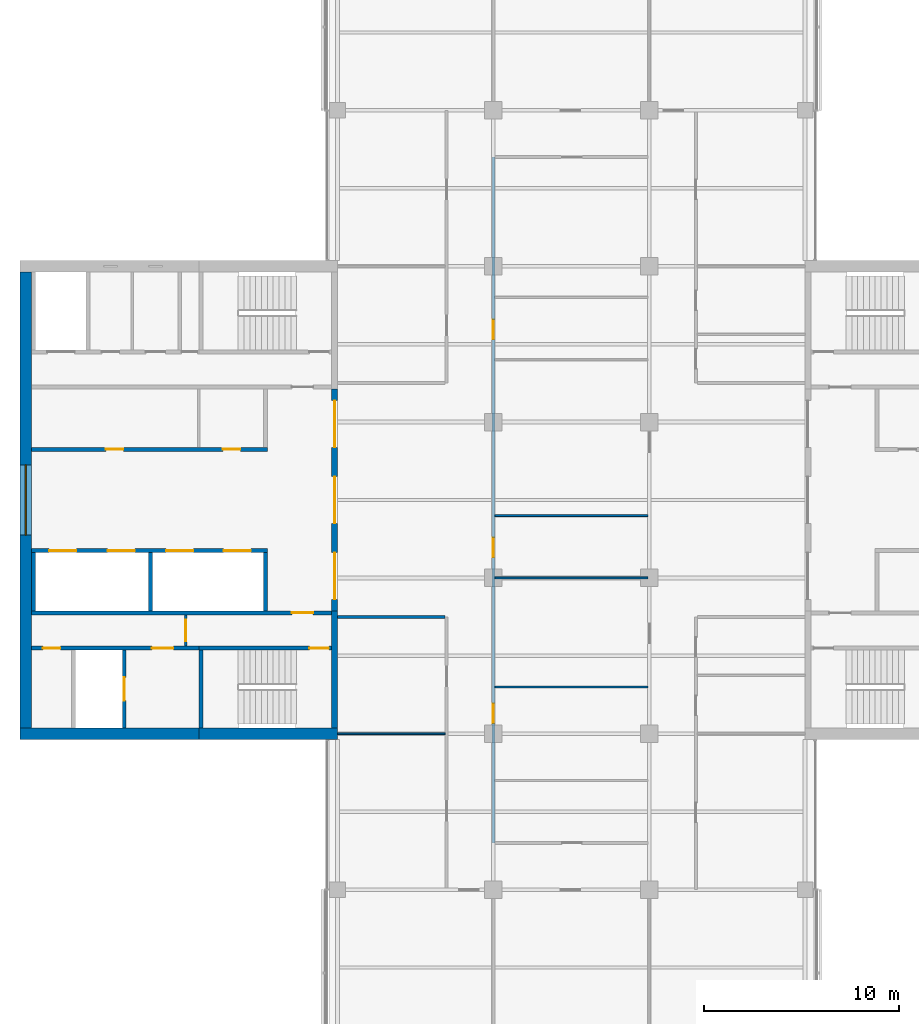
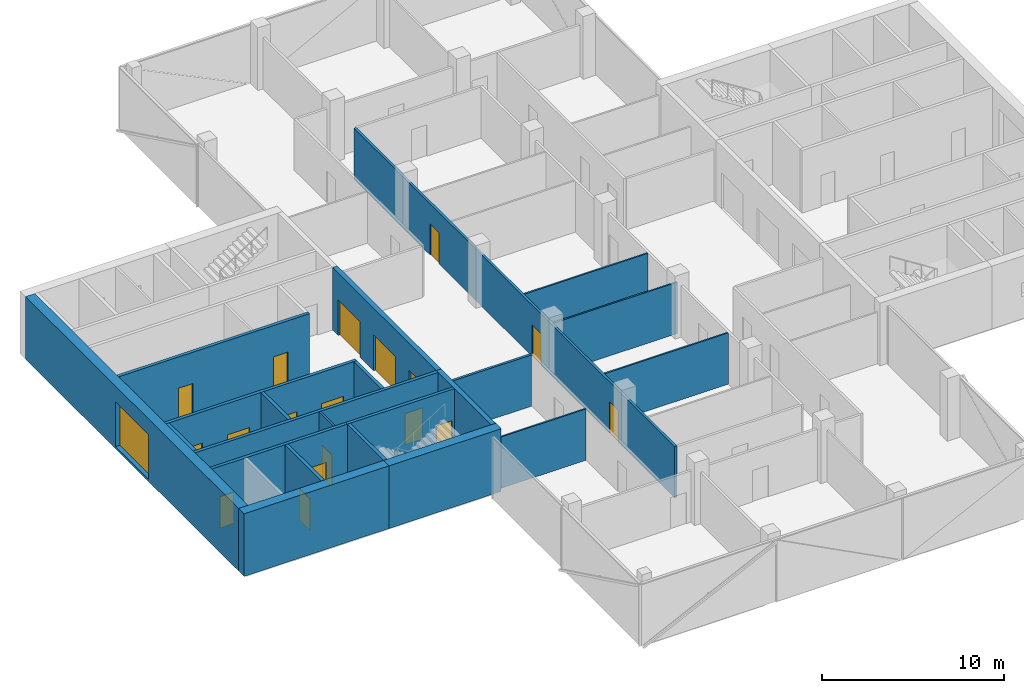
# One storey, part 9 of 15: 22 walls, 18 doors, 1 window, 19 openings.
"""IFC4 building model written with IfcOpenShell, lengths in metres."""

from ifc_helpers import new_model, si_unit, direction, frame, frame_2d, origin, place, context, subcontext, project, spatial, rectangle, extrude, material, layer, layer_set, constituent, constituent_set, type_object, element, fill, save


model = new_model("IFC4")

# Units and contexts
model_context = context("Model", 3, precision=1e-05, world=origin(), true_north=direction((0.0, 1.0)))
body_context = subcontext(model_context, "Body", "Model", "MODEL_VIEW")
ifc_project = project(units=[si_unit("LENGTHUNIT", "METRE"), si_unit("AREAUNIT", "SQUARE_METRE"), si_unit("VOLUMEUNIT", "CUBIC_METRE"), si_unit("PLANEANGLEUNIT", "RADIAN"), si_unit("MASSUNIT", "GRAM", prefix="KILO")], contexts=[model_context])

# Site, building, storey
site_placement = place(None, origin())
site = spatial("IfcSite", under=ifc_project, at=site_placement, CompositionType="ELEMENT")
building_placement = place(site_placement, origin())
building = spatial("IfcBuilding", under=site, at=building_placement, Name="Crosswind Convention Tower", CompositionType="ELEMENT")
storey_placement = place(building_placement, frame((0.0, 0.0, 204.10009765625)))
storey = spatial("IfcBuildingStorey", under=building, at=storey_placement, Name="L43", CompositionType="ELEMENT", Elevation=204.10009765625)

# Wall, openings, doors
ifc_material_1 = material(Name="Concrete C50/60", Category="concrete")
ifc_layer_1 = layer(ifc_material_1, 0.300048828125)
ifc_layer_set_1 = layer_set([ifc_layer_1], Name="Concrete C50/60")
wall_type_1 = type_object("IfcWallType", Name="Concrete inner core wall 300", PredefinedType="SHEAR", material=ifc_layer_set_1)
wall_1_placement = place(storey_placement, frame((112.85009765625, 105.699951171875, 0.0), z_axis=(0.0, 0.0, 1.0), x_axis=(0.0, -1.0, 0.0)))
wall_1 = element("IfcWall", 1, at=wall_1_placement, inside=storey, type_object=wall_type_1, Name="Wall SCR W L43", PredefinedType="SHEAR", context=body_context, shape_type="SweptSolid", body=[
    extrude(rectangle(XDim=11.39990234375, YDim=0.300048828125, at=frame_2d((5.699951171875, 0.0))), origin(), (0.0, 0.0, 1.0), 4.199951171875),
])
opening_1_placement = place(wall_1_placement, frame((0.60009765625, 0.0, 0.0)))
opening_1 = element("IfcOpeningElement", 2, at=opening_1_placement, cuts=wall_1, Name="Opening D100", PredefinedType="OPENING", context=body_context, shape_type="SweptSolid", body=[
    extrude(rectangle(XDim=2.39990234375, YDim=2.39990234375, at=frame_2d((1.199951171875, 1.199951171875))), frame((0.0, 0.159912109375, 0.0), z_axis=(0.0, -1.0, 0.0), x_axis=(1.0, 0.0, 0.0)), (0.0, 0.0, 1.0), 0.320068359375),
])
opening_2_placement = place(wall_1_placement, frame((4.5, 0.0, 0.0)))
opening_2 = element("IfcOpeningElement", 3, at=opening_2_placement, cuts=wall_1, Name="Opening D100", PredefinedType="OPENING", context=body_context, shape_type="SweptSolid", body=[
    extrude(rectangle(XDim=2.39990234375, YDim=2.39990234375, at=frame_2d((1.199951171875, 1.199951171875))), frame((0.0, 0.159912109375, 0.0), z_axis=(0.0, -1.0, 0.0), x_axis=(1.0, 0.0, 0.0)), (0.0, 0.0, 1.0), 0.320068359375),
])
opening_3_placement = place(wall_1_placement, frame((8.39990234375, 0.0, 0.0)))
opening_3 = element("IfcOpeningElement", 4, at=opening_3_placement, cuts=wall_1, Name="Opening D100", PredefinedType="OPENING", context=body_context, shape_type="SweptSolid", body=[
    extrude(rectangle(XDim=2.39990234375, YDim=2.39990234375, at=frame_2d((1.199951171875, 1.199951171875))), frame((0.0, 0.159912109375, 0.0), z_axis=(0.0, -1.0, 0.0), x_axis=(1.0, 0.0, 0.0)), (0.0, 0.0, 1.0), 0.320068359375),
])
ifc_material_2 = material(Name="Steel fire door with glazed vision panels", Category="steel")
door_type_1 = type_object("IfcDoorType", Name="Fire-rated double door 2400x2400", OperationType="DOUBLE_DOOR_SINGLE_SWING", PredefinedType="DOOR", material=ifc_material_2)
door_1_placement = place(opening_1_placement, origin())
door_1 = element("IfcDoor", 5, at=door_1_placement, inside=storey, type_object=door_type_1, Name="Lobby door 1 L43", ObjectType="D100", OperationType="DOUBLE_DOOR_SINGLE_SWING", OverallHeight=2.39990234375, OverallWidth=2.39990234375, PredefinedType="DOOR", context=body_context, shape_type="SweptSolid", body=[
    extrude(rectangle(XDim=2.39990234375, YDim=2.39990234375, at=frame_2d((1.199951171875, 1.199951171875))), frame((0.0, 0.02490234375, 0.0), z_axis=(0.0, -1.0, 0.0), x_axis=(1.0, 0.0, 0.0)), (0.0, 0.0, 1.0), 0.050048828125),
])
fill(opening_1, door_1)
door_2_placement = place(opening_2_placement, origin())
door_2 = element("IfcDoor", 6, at=door_2_placement, inside=storey, type_object=door_type_1, Name="Lobby door 2 L43", ObjectType="D100", OperationType="DOUBLE_DOOR_SINGLE_SWING", OverallHeight=2.39990234375, OverallWidth=2.39990234375, PredefinedType="DOOR", context=body_context, shape_type="SweptSolid", body=[
    extrude(rectangle(XDim=2.39990234375, YDim=2.39990234375, at=frame_2d((1.199951171875, 1.199951171875))), frame((0.0, 0.02490234375, 0.0), z_axis=(0.0, -1.0, 0.0), x_axis=(1.0, 0.0, 0.0)), (0.0, 0.0, 1.0), 0.050048828125),
])
fill(opening_2, door_2)
door_3_placement = place(opening_3_placement, origin())
door_3 = element("IfcDoor", 7, at=door_3_placement, inside=storey, type_object=door_type_1, Name="Lobby door 3 L43", ObjectType="D100", OperationType="DOUBLE_DOOR_SINGLE_SWING", OverallHeight=2.39990234375, OverallWidth=2.39990234375, PredefinedType="DOOR", context=body_context, shape_type="SweptSolid", body=[
    extrude(rectangle(XDim=2.39990234375, YDim=2.39990234375, at=frame_2d((1.199951171875, 1.199951171875))), frame((0.0, 0.02490234375, 0.0), z_axis=(0.0, -1.0, 0.0), x_axis=(1.0, 0.0, 0.0)), (0.0, 0.0, 1.0), 0.050048828125),
])
fill(opening_3, door_3)

# Walls
wall_2_placement = place(storey_placement, frame((112.85009765625, 94.300048828125, 0.0), z_axis=(0.0, 0.0, 1.0), x_axis=(0.0, -1.0, 0.0)))
element("IfcWall", 8, at=wall_2_placement, inside=storey, type_object=wall_type_1, Name="Wall EP W L43", PredefinedType="SHEAR", context=body_context, shape_type="SweptSolid", body=[
    extrude(rectangle(XDim=6.0, YDim=0.300048828125, at=frame_2d((3.0, 0.0))), origin(), (0.0, 0.0, 1.0), 4.199951171875),
])
ifc_layer_2 = layer(ifc_material_1, 0.199951171875)
ifc_layer_set_2 = layer_set([ifc_layer_2], Name="Concrete C50/60")
wall_type_2 = type_object("IfcWallType", Name="Concrete shaft and stair wall 200", PredefinedType="SHEAR", material=ifc_layer_set_2)
for number, where, z_axis, x_axis, name in (
    (9, (109.300048828125, 97.300048828125, 0.0), (0.0, 0.0, 1.0), (0.0, -1.0, 0.0), "Wall RPEND W L43"),
    (10, (103.39990234375, 97.300048828125, 0.0), (0.0, 0.0, 1.0), (0.0, -1.0, 0.0), "Wall RPSEP W L43"),
    (11, (97.39990234375, 97.300048828125, 0.0), (0.0, 0.0, 1.0), (0.0, -1.0, 0.0), "Wall RPEAST W L43"),
):
    element("IfcWall", number, at=place(storey_placement, frame(where, z_axis=z_axis, x_axis=x_axis)), inside=storey, type_object=wall_type_2, Name=name, PredefinedType="SHEAR", context=body_context, shape_type="SweptSolid", body=[
        extrude(rectangle(XDim=3.0, YDim=0.199951171875, at=frame_2d((1.5, 0.0))), origin(), (0.0, 0.0, 1.0), 4.199951171875),
    ])

# Wall, openings, doors
wall_3_placement = place(storey_placement, frame((109.39990234375, 97.39990234375, 0.0), z_axis=(0.0, 0.0, 1.0), x_axis=(-1.0, 0.0, 0.0)))
wall_3 = element("IfcWall", 12, at=wall_3_placement, inside=storey, type_object=wall_type_2, Name="Wall RPFRONT W L43", PredefinedType="SHEAR", context=body_context, shape_type="SweptSolid", body=[
    extrude(rectangle(XDim=12.099853515625, YDim=0.199951171875, at=frame_2d((6.0498046875, 0.0))), origin(), (0.0, 0.0, 1.0), 4.199951171875),
])
opening_4_placement = place(wall_3_placement, frame((0.85009765625, 0.0, 0.0)))
opening_4 = element("IfcOpeningElement", 13, at=opening_4_placement, cuts=wall_3, Name="Opening LD2", PredefinedType="OPENING", context=body_context, shape_type="SweptSolid", body=[
    extrude(rectangle(XDim=1.39990234375, YDim=2.10009765625, at=frame_2d((0.699951171875, 1.050048828125))), frame((0.0, 0.10986328125, 0.0), z_axis=(0.0, -1.0, 0.0), x_axis=(1.0, 0.0, 0.0)), (0.0, 0.0, 1.0), 0.219970703125),
])
opening_5_placement = place(wall_3_placement, frame((3.800048828125, 0.0, 0.0)))
opening_5 = element("IfcOpeningElement", 14, at=opening_5_placement, cuts=wall_3, Name="Opening LD2", PredefinedType="OPENING", context=body_context, shape_type="SweptSolid", body=[
    extrude(rectangle(XDim=1.39990234375, YDim=2.10009765625, at=frame_2d((0.699951171875, 1.050048828125))), frame((0.0, 0.10986328125, 0.0), z_axis=(0.0, -1.0, 0.0), x_axis=(1.0, 0.0, 0.0)), (0.0, 0.0, 1.0), 0.219970703125),
])
opening_6_placement = place(wall_3_placement, frame((6.800048828125, 0.0, 0.0)))
opening_6 = element("IfcOpeningElement", 15, at=opening_6_placement, cuts=wall_3, Name="Opening LD2", PredefinedType="OPENING", context=body_context, shape_type="SweptSolid", body=[
    extrude(rectangle(XDim=1.39990234375, YDim=2.10009765625, at=frame_2d((0.699951171875, 1.050048828125))), frame((0.0, 0.10986328125, 0.0), z_axis=(0.0, -1.0, 0.0), x_axis=(1.0, 0.0, 0.0)), (0.0, 0.0, 1.0), 0.219970703125),
])
opening_7_placement = place(wall_3_placement, frame((9.800048828125, 0.0, 0.0)))
opening_7 = element("IfcOpeningElement", 16, at=opening_7_placement, cuts=wall_3, Name="Opening LD2", PredefinedType="OPENING", context=body_context, shape_type="SweptSolid", body=[
    extrude(rectangle(XDim=1.39990234375, YDim=2.10009765625, at=frame_2d((0.699951171875, 1.050048828125))), frame((0.0, 0.10986328125, 0.0), z_axis=(0.0, -1.0, 0.0), x_axis=(1.0, 0.0, 0.0)), (0.0, 0.0, 1.0), 0.219970703125),
])
ifc_material_3 = material(Name="Stainless steel", Category="steel")
door_type_2 = type_object("IfcDoorType", Name="Lift landing door 1400x2100", OperationType="DOUBLE_DOOR_SLIDING", PredefinedType="DOOR", material=ifc_material_3)
door_4_placement = place(opening_4_placement, origin())
door_4 = element("IfcDoor", 17, at=door_4_placement, inside=storey, type_object=door_type_2, Name="Landing door HR1 L43", ObjectType="LD2", OperationType="DOUBLE_DOOR_SLIDING", OverallHeight=2.10009765625, OverallWidth=1.39990234375, PredefinedType="DOOR", context=body_context, shape_type="SweptSolid", body=[
    extrude(rectangle(XDim=1.39990234375, YDim=2.10009765625, at=frame_2d((0.699951171875, 1.050048828125))), frame((0.0, 0.02490234375, 0.0), z_axis=(0.0, -1.0, 0.0), x_axis=(1.0, 0.0, 0.0)), (0.0, 0.0, 1.0), 0.050048828125),
])
fill(opening_4, door_4)
door_5_placement = place(opening_5_placement, origin())
door_5 = element("IfcDoor", 18, at=door_5_placement, inside=storey, type_object=door_type_2, Name="Landing door HR2 L43", ObjectType="LD2", OperationType="DOUBLE_DOOR_SLIDING", OverallHeight=2.10009765625, OverallWidth=1.39990234375, PredefinedType="DOOR", context=body_context, shape_type="SweptSolid", body=[
    extrude(rectangle(XDim=1.39990234375, YDim=2.10009765625, at=frame_2d((0.699951171875, 1.050048828125))), frame((0.0, 0.02490234375, 0.0), z_axis=(0.0, -1.0, 0.0), x_axis=(1.0, 0.0, 0.0)), (0.0, 0.0, 1.0), 0.050048828125),
])
fill(opening_5, door_5)
door_6_placement = place(opening_6_placement, origin())
door_6 = element("IfcDoor", 19, at=door_6_placement, inside=storey, type_object=door_type_2, Name="Landing door HR3 L43", ObjectType="LD2", OperationType="DOUBLE_DOOR_SLIDING", OverallHeight=2.10009765625, OverallWidth=1.39990234375, PredefinedType="DOOR", context=body_context, shape_type="SweptSolid", body=[
    extrude(rectangle(XDim=1.39990234375, YDim=2.10009765625, at=frame_2d((0.699951171875, 1.050048828125))), frame((0.0, 0.02490234375, 0.0), z_axis=(0.0, -1.0, 0.0), x_axis=(1.0, 0.0, 0.0)), (0.0, 0.0, 1.0), 0.050048828125),
])
fill(opening_6, door_6)
door_7_placement = place(opening_7_placement, origin())
door_7 = element("IfcDoor", 20, at=door_7_placement, inside=storey, type_object=door_type_2, Name="Landing door HR4 L43", ObjectType="LD2", OperationType="DOUBLE_DOOR_SLIDING", OverallHeight=2.10009765625, OverallWidth=1.39990234375, PredefinedType="DOOR", context=body_context, shape_type="SweptSolid", body=[
    extrude(rectangle(XDim=1.39990234375, YDim=2.10009765625, at=frame_2d((0.699951171875, 1.050048828125))), frame((0.0, 0.02490234375, 0.0), z_axis=(0.0, -1.0, 0.0), x_axis=(1.0, 0.0, 0.0)), (0.0, 0.0, 1.0), 0.050048828125),
])
fill(opening_7, door_7)

wall_4_placement = place(storey_placement, frame((109.39990234375, 102.60009765625, 0.0), z_axis=(0.0, 0.0, 1.0), x_axis=(-1.0, 0.0, 0.0)))
wall_4 = element("IfcWall", 21, at=wall_4_placement, inside=storey, type_object=wall_type_2, Name="Wall RMFRONT W L43", PredefinedType="SHEAR", context=body_context, shape_type="SweptSolid", body=[
    extrude(rectangle(XDim=12.099853515625, YDim=0.199951171875, at=frame_2d((6.0498046875, 0.0))), origin(), (0.0, 0.0, 1.0), 4.199951171875),
])
opening_8_placement = place(wall_4_placement, frame((1.384765625, 0.0, 0.0)))
opening_8 = element("IfcOpeningElement", 22, at=opening_8_placement, cuts=wall_4, Name="Opening D106", PredefinedType="OPENING", context=body_context, shape_type="SweptSolid", body=[
    extrude(rectangle(XDim=0.89990234375, YDim=2.10009765625, at=frame_2d((0.449951171875, 1.050048828125))), frame((0.0, 0.10986328125, 0.0), z_axis=(0.0, -1.0, 0.0), x_axis=(1.0, 0.0, 0.0)), (0.0, 0.0, 1.0), 0.219970703125),
])
opening_9_placement = place(wall_4_placement, frame((7.397216796875, 0.0, 0.0)))
opening_9 = element("IfcOpeningElement", 23, at=opening_9_placement, cuts=wall_4, Name="Opening D106", PredefinedType="OPENING", context=body_context, shape_type="SweptSolid", body=[
    extrude(rectangle(XDim=0.89990234375, YDim=2.10009765625, at=frame_2d((0.449951171875, 1.050048828125))), frame((0.0, 0.10986328125, 0.0), z_axis=(0.0, -1.0, 0.0), x_axis=(1.0, 0.0, 0.0)), (0.0, 0.0, 1.0), 0.219970703125),
])
ifc_material_4 = material(Name="Timber door", Category="wood")
door_type_3 = type_object("IfcDoorType", Name="Single leaf door 900x2100", OperationType="NOTDEFINED", PredefinedType="DOOR", material=ifc_material_4)
door_8_placement = place(opening_8_placement, frame((0.89990234375, 0.0, 0.0), z_axis=(0.0, 0.0, 1.0), x_axis=(-1.0, 0.0, 0.0)))
door_8 = element("IfcDoor", 24, at=door_8_placement, inside=storey, type_object=door_type_3, Name="Door to storeroom L43", ObjectType="D106", OperationType="SINGLE_SWING_LEFT", OverallHeight=2.10009765625, OverallWidth=0.89990234375, PredefinedType="DOOR", context=body_context, shape_type="SweptSolid", body=[
    extrude(rectangle(XDim=0.89990234375, YDim=2.10009765625, at=frame_2d((0.449951171875, 1.050048828125))), frame((0.0, 0.02490234375, 0.0), z_axis=(0.0, -1.0, 0.0), x_axis=(1.0, 0.0, 0.0)), (0.0, 0.0, 1.0), 0.050048828125),
])
fill(opening_8, door_8)
door_9_placement = place(opening_9_placement, frame((0.89990234375, 0.0, 0.0), z_axis=(0.0, 0.0, 1.0), x_axis=(-1.0, 0.0, 0.0)))
door_9 = element("IfcDoor", 25, at=door_9_placement, inside=storey, type_object=door_type_3, Name="Door to tenant services room L43", ObjectType="D106", OperationType="SINGLE_SWING_LEFT", OverallHeight=2.10009765625, OverallWidth=0.89990234375, PredefinedType="DOOR", context=body_context, shape_type="SweptSolid", body=[
    extrude(rectangle(XDim=0.89990234375, YDim=2.10009765625, at=frame_2d((0.449951171875, 1.050048828125))), frame((0.0, 0.02490234375, 0.0), z_axis=(0.0, -1.0, 0.0), x_axis=(1.0, 0.0, 0.0)), (0.0, 0.0, 1.0), 0.050048828125),
])
fill(opening_9, door_9)

# Wall, opening, door
wall_5_placement = place(storey_placement, frame((112.699951171875, 94.199951171875, 0.0), z_axis=(0.0, 0.0, 1.0), x_axis=(-1.0, 0.0, 0.0)))
wall_5 = element("IfcWall", 26, at=wall_5_placement, inside=storey, type_object=wall_type_2, Name="Wall HP W L43", PredefinedType="SHEAR", context=body_context, shape_type="SweptSolid", body=[
    extrude(rectangle(XDim=15.39990234375, YDim=0.199951171875, at=frame_2d((7.699951171875, 0.0))), origin(), (0.0, 0.0, 1.0), 4.199951171875),
])
opening_10_placement = place(wall_5_placement, frame((0.949951171875, 0.0, 0.0)))
opening_10 = element("IfcOpeningElement", 27, at=opening_10_placement, cuts=wall_5, Name="Opening D104", PredefinedType="OPENING", context=body_context, shape_type="SweptSolid", body=[
    extrude(rectangle(XDim=1.10009765625, YDim=2.10009765625, at=frame_2d((0.550048828125, 1.050048828125))), frame((0.0, 0.10986328125, 0.0), z_axis=(0.0, -1.0, 0.0), x_axis=(1.0, 0.0, 0.0)), (0.0, 0.0, 1.0), 0.219970703125),
])
ifc_material_5 = material(Name="Steel fire door", Category="steel")
door_type_4 = type_object("IfcDoorType", Name="Fire-rated single door 1100x2100", OperationType="NOTDEFINED", PredefinedType="DOOR", material=ifc_material_5)
door_10_placement = place(opening_10_placement, origin())
door_10 = element("IfcDoor", 28, at=door_10_placement, inside=storey, type_object=door_type_4, Name="Corridor door L43", ObjectType="D104", OperationType="SINGLE_SWING_LEFT", OverallHeight=2.10009765625, OverallWidth=1.10009765625, PredefinedType="DOOR", context=body_context, shape_type="SweptSolid", body=[
    extrude(rectangle(XDim=1.10009765625, YDim=2.10009765625, at=frame_2d((0.550048828125, 1.050048828125))), frame((0.0, 0.02490234375, 0.0), z_axis=(0.0, -1.0, 0.0), x_axis=(1.0, 0.0, 0.0)), (0.0, 0.0, 1.0), 0.050048828125),
])
fill(opening_10, door_10)

# Wall
wall_6_placement = place(storey_placement, frame((106.0, 92.300048828125, 0.0), z_axis=(0.0, 0.0, 1.0), x_axis=(0.0, -1.0, 0.0)))
element("IfcWall", 29, at=wall_6_placement, inside=storey, type_object=wall_type_2, Name="Wall PSE W L43", PredefinedType="SHEAR", context=body_context, shape_type="SweptSolid", body=[
    extrude(rectangle(XDim=4.0, YDim=0.199951171875, at=frame_2d((2.0, 0.0))), origin(), (0.0, 0.0, 1.0), 4.199951171875),
])

# Wall, opening, door
wall_7_placement = place(storey_placement, frame((102.050048828125, 92.300048828125, 0.0), z_axis=(0.0, 0.0, 1.0), x_axis=(0.0, -1.0, 0.0)))
wall_7 = element("IfcWall", 30, at=wall_7_placement, inside=storey, type_object=wall_type_2, Name="Wall PFLW W L43", PredefinedType="SHEAR", context=body_context, shape_type="SweptSolid", body=[
    extrude(rectangle(XDim=4.0, YDim=0.199951171875, at=frame_2d((2.0, 0.0))), origin(), (0.0, 0.0, 1.0), 4.199951171875),
])
opening_11_placement = place(wall_7_placement, frame((1.39990234375, 0.0, 0.0)))
opening_11 = element("IfcOpeningElement", 31, at=opening_11_placement, cuts=wall_7, Name="Opening LD1", PredefinedType="OPENING", context=body_context, shape_type="SweptSolid", body=[
    extrude(rectangle(XDim=1.199951171875, YDim=2.10009765625, at=frame_2d((0.60009765625, 1.050048828125))), frame((0.0, 0.10986328125, 0.0), z_axis=(0.0, -1.0, 0.0), x_axis=(1.0, 0.0, 0.0)), (0.0, 0.0, 1.0), 0.219970703125),
])
door_type_5 = type_object("IfcDoorType", Name="Lift landing door 1200x2100", OperationType="DOUBLE_DOOR_SLIDING", PredefinedType="DOOR", material=ifc_material_3)
door_11_placement = place(opening_11_placement, origin())
door_11 = element("IfcDoor", 32, at=door_11_placement, inside=storey, type_object=door_type_5, Name="Landing door FF2 L43", ObjectType="LD1", OperationType="DOUBLE_DOOR_SLIDING", OverallHeight=2.10009765625, OverallWidth=1.199951171875, PredefinedType="DOOR", context=body_context, shape_type="SweptSolid", body=[
    extrude(rectangle(XDim=1.199951171875, YDim=2.10009765625, at=frame_2d((0.60009765625, 1.050048828125))), frame((0.0, 0.02490234375, 0.0), z_axis=(0.0, -1.0, 0.0), x_axis=(1.0, 0.0, 0.0)), (0.0, 0.0, 1.0), 0.050048828125),
])
fill(opening_11, door_11)

wall_8_placement = place(storey_placement, frame((112.699951171875, 92.39990234375, 0.0), z_axis=(0.0, 0.0, 1.0), x_axis=(-1.0, 0.0, 0.0)))
wall_8 = element("IfcWall", 33, at=wall_8_placement, inside=storey, type_object=wall_type_2, Name="Wall PCW W L43", PredefinedType="SHEAR", context=body_context, shape_type="SweptSolid", body=[
    extrude(rectangle(XDim=6.800048828125, YDim=0.199951171875, at=frame_2d((3.39990234375, 0.0))), origin(), (0.0, 0.0, 1.0), 4.199951171875),
])
opening_12_placement = place(wall_8_placement, frame((0.14990234375, 0.0, 0.0)))
opening_12 = element("IfcOpeningElement", 34, at=opening_12_placement, cuts=wall_8, Name="Opening D103", PredefinedType="OPENING", context=body_context, shape_type="SweptSolid", body=[
    extrude(rectangle(XDim=1.0, YDim=2.10009765625, at=frame_2d((0.5, 1.050048828125))), frame((0.0, 0.10986328125, 0.0), z_axis=(0.0, -1.0, 0.0), x_axis=(1.0, 0.0, 0.0)), (0.0, 0.0, 1.0), 0.219970703125),
])
door_type_6 = type_object("IfcDoorType", Name="Fire-rated single door 1000x2100", OperationType="NOTDEFINED", PredefinedType="DOOR", material=ifc_material_5)
door_12_placement = place(opening_12_placement, origin())
door_12 = element("IfcDoor", 35, at=door_12_placement, inside=storey, type_object=door_type_6, Name="Stair ST3 door L43", ObjectType="D103", OperationType="SINGLE_SWING_LEFT", OverallHeight=2.10009765625, OverallWidth=1.0, PredefinedType="DOOR", context=body_context, shape_type="SweptSolid", body=[
    extrude(rectangle(XDim=1.0, YDim=2.10009765625, at=frame_2d((0.5, 1.050048828125))), frame((0.0, 0.02490234375, 0.0), z_axis=(0.0, -1.0, 0.0), x_axis=(1.0, 0.0, 0.0)), (0.0, 0.0, 1.0), 0.050048828125),
])
fill(opening_12, door_12)

# Wall, openings, doors
wall_9_placement = place(storey_placement, frame((105.89990234375, 92.39990234375, 0.0), z_axis=(0.0, 0.0, 1.0), x_axis=(-1.0, 0.0, 0.0)))
wall_9 = element("IfcWall", 36, at=wall_9_placement, inside=storey, type_object=wall_type_2, Name="Wall PCX W L43", PredefinedType="SHEAR", context=body_context, shape_type="SweptSolid", body=[
    extrude(rectangle(XDim=8.599853515625, YDim=0.199951171875, at=frame_2d((4.2998046875, 0.0))), origin(), (0.0, 0.0, 1.0), 4.199951171875),
])
opening_13_placement = place(wall_9_placement, frame((1.324951171875, 0.0, 0.0)))
opening_13 = element("IfcOpeningElement", 37, at=opening_13_placement, cuts=wall_9, Name="Opening D104", PredefinedType="OPENING", context=body_context, shape_type="SweptSolid", body=[
    extrude(rectangle(XDim=1.10009765625, YDim=2.10009765625, at=frame_2d((0.550048828125, 1.050048828125))), frame((0.0, 0.10986328125, 0.0), z_axis=(0.0, -1.0, 0.0), x_axis=(1.0, 0.0, 0.0)), (0.0, 0.0, 1.0), 0.219970703125),
])
opening_14_placement = place(wall_9_placement, frame((7.125, 0.0, 0.0)))
opening_14 = element("IfcOpeningElement", 38, at=opening_14_placement, cuts=wall_9, Name="Opening D106", PredefinedType="OPENING", context=body_context, shape_type="SweptSolid", body=[
    extrude(rectangle(XDim=0.89990234375, YDim=2.10009765625, at=frame_2d((0.449951171875, 1.050048828125))), frame((0.0, 0.10986328125, 0.0), z_axis=(0.0, -1.0, 0.0), x_axis=(1.0, 0.0, 0.0)), (0.0, 0.0, 1.0), 0.219970703125),
])
door_13_placement = place(opening_13_placement, origin())
door_13 = element("IfcDoor", 39, at=door_13_placement, inside=storey, type_object=door_type_4, Name="Fire-fighting lobby FF2 door L43", ObjectType="D104", OperationType="SINGLE_SWING_RIGHT", OverallHeight=2.10009765625, OverallWidth=1.10009765625, PredefinedType="DOOR", context=body_context, shape_type="SweptSolid", body=[
    extrude(rectangle(XDim=1.10009765625, YDim=2.10009765625, at=frame_2d((0.550048828125, 1.050048828125))), frame((0.0, 0.02490234375, 0.0), z_axis=(0.0, -1.0, 0.0), x_axis=(1.0, 0.0, 0.0)), (0.0, 0.0, 1.0), 0.050048828125),
])
fill(opening_13, door_13)
door_14_placement = place(opening_14_placement, origin())
door_14 = element("IfcDoor", 40, at=door_14_placement, inside=storey, type_object=door_type_3, Name="Door to electrical room L43", ObjectType="D106", OperationType="SINGLE_SWING_RIGHT", OverallHeight=2.10009765625, OverallWidth=0.89990234375, PredefinedType="DOOR", context=body_context, shape_type="SweptSolid", body=[
    extrude(rectangle(XDim=0.89990234375, YDim=2.10009765625, at=frame_2d((0.449951171875, 1.050048828125))), frame((0.0, 0.02490234375, 0.0), z_axis=(0.0, -1.0, 0.0), x_axis=(1.0, 0.0, 0.0)), (0.0, 0.0, 1.0), 0.050048828125),
])
fill(opening_14, door_14)

# Wall, opening, door
ifc_material_6 = material(Name="Gypsum plasterboard partition", Category="gypsum")
ifc_layer_3 = layer(ifc_material_6, 0.125)
ifc_layer_set_3 = layer_set([ifc_layer_3], Name="Drywall partition wall 125")
wall_type_3 = type_object("IfcWallType", Name="Drywall partition wall 125", PredefinedType="PARTITIONING", material=ifc_layer_set_3)
wall_10_placement = place(storey_placement, frame((105.199951171875, 94.10009765625, 0.0), z_axis=(0.0, 0.0, 1.0), x_axis=(0.0, -1.0, 0.0)))
wall_10 = element("IfcWall", 41, at=wall_10_placement, inside=storey, type_object=wall_type_3, Name="Wall PXC1 W L43", PredefinedType="PARTITIONING", context=body_context, shape_type="SweptSolid", body=[
    extrude(rectangle(XDim=1.60009765625, YDim=0.125, at=frame_2d((0.800048828125, 0.0))), origin(), (0.0, 0.0, 1.0), 4.199951171875),
])
opening_15_placement = place(wall_10_placement, frame((0.25, 0.0, 0.0)))
opening_15 = element("IfcOpeningElement", 42, at=opening_15_placement, cuts=wall_10, Name="Opening D104", PredefinedType="OPENING", context=body_context, shape_type="SweptSolid", body=[
    extrude(rectangle(XDim=1.10009765625, YDim=2.10009765625, at=frame_2d((0.550048828125, 1.050048828125))), frame((0.0, 0.072509765625, 0.0), z_axis=(0.0, -1.0, 0.0), x_axis=(1.0, 0.0, 0.0)), (0.0, 0.0, 1.0), 0.14501953125),
])
door_15_placement = place(opening_15_placement, origin())
door_15 = element("IfcDoor", 43, at=door_15_placement, inside=storey, type_object=door_type_4, Name="Corridor smoke door L43", ObjectType="D104", OperationType="SINGLE_SWING_RIGHT", OverallHeight=2.10009765625, OverallWidth=1.10009765625, PredefinedType="DOOR", context=body_context, shape_type="SweptSolid", body=[
    extrude(rectangle(XDim=1.10009765625, YDim=2.10009765625, at=frame_2d((0.550048828125, 1.050048828125))), frame((0.0, 0.02490234375, 0.0), z_axis=(0.0, -1.0, 0.0), x_axis=(1.0, 0.0, 0.0)), (0.0, 0.0, 1.0), 0.050048828125),
])
fill(opening_15, door_15)

# Walls
ifc_material_7 = material(Name="Plasterboard partition", Category="gypsum")
ifc_layer_4 = layer(ifc_material_7, 0.10009765625)
ifc_layer_set_4 = layer_set([ifc_layer_4], Name="PARTITION 100 METAL STUD")
wall_type_4 = type_object("IfcWallType", Name="PARTITION 100 METAL STUD", PredefinedType="PARTITIONING", material=ifc_layer_set_4)
wall_11_placement = place(storey_placement, frame((113.0, 88.0, 0.0), z_axis=(0.0, 0.0, 1.0), x_axis=(1.0, 0.0, 0.0)))
element("IfcWall", 44, at=wall_11_placement, inside=storey, type_object=wall_type_4, Name="Partition wall WT40", PredefinedType="PARTITIONING", context=body_context, shape_type="SweptSolid", body=[
    extrude(rectangle(XDim=5.52490234375, YDim=0.10009765625, at=frame_2d((2.762451171875, 0.0))), origin(), (0.0, 0.0, 1.0), 3.439697265625),
])
for number, where, z_axis, x_axis, name in (
    (45, (121.074951171875, 90.39990234375, 0.0), (0.0, 0.0, 1.0), (1.0, 0.0, 0.0), "Partition wall WT40"),
    (46, (121.074951171875, 96.0, 0.0), (0.0, 0.0, 1.0), (1.0, 0.0, 0.0), "Partition wall WT40"),
    (47, (121.074951171875, 99.199951171875, 0.0), (0.0, 0.0, 1.0), (1.0, 0.0, 0.0), "Partition wall WT40"),
):
    element("IfcWall", number, at=place(storey_placement, frame(where, z_axis=z_axis, x_axis=x_axis)), inside=storey, type_object=wall_type_4, Name=name, PredefinedType="PARTITIONING", context=body_context, shape_type="SweptSolid", body=[
        extrude(rectangle(XDim=7.85009765625, YDim=0.10009765625, at=frame_2d((3.925048828125, 0.0))), origin(), (0.0, 0.0, 1.0), 3.439697265625),
    ])

# Wall, openings, doors
ifc_material_8 = material(Name="Fire-board partition with mineral wool", Category="gypsum")
ifc_layer_5 = layer(ifc_material_8, 0.14990234375)
ifc_layer_set_5 = layer_set([ifc_layer_5], Name="TENANCY WALL 150 TWO-HOUR BOARD")
wall_type_5 = type_object("IfcWallType", Name="TENANCY WALL 150 TWO-HOUR BOARD", PredefinedType="PARTITIONING", material=ifc_layer_set_5)
wall_12_placement = place(storey_placement, frame((121.0, 82.39990234375, 0.0), z_axis=(0.0, 0.0, 1.0), x_axis=(0.0, 1.0, 0.0)))
wall_12 = element("IfcWall", 48, at=wall_12_placement, inside=storey, type_object=wall_type_5, Name="Tenancy wall WT41", PredefinedType="PARTITIONING", context=body_context, shape_type="SweptSolid", body=[
    extrude(rectangle(XDim=35.2001953125, YDim=0.14990234375, at=frame_2d((17.60009765625, 0.0))), origin(), (0.0, 0.0, 1.0), 3.439697265625),
])
opening_16_placement = place(wall_12_placement, frame((6.14990234375, 0.0, 0.0)))
opening_16 = element("IfcOpeningElement", 49, at=opening_16_placement, cuts=wall_12, Name="Opening L43-65", PredefinedType="OPENING", context=body_context, shape_type="SweptSolid", body=[
    extrude(rectangle(XDim=1.0, YDim=2.10009765625, at=frame_2d((0.5, 1.050048828125))), frame((0.0, 0.0849609375, 0.0), z_axis=(0.0, -1.0, 0.0), x_axis=(1.0, 0.0, 0.0)), (0.0, 0.0, 1.0), 0.169921875),
])
opening_17_placement = place(wall_12_placement, frame((14.64990234375, 0.0, 0.0)))
opening_17 = element("IfcOpeningElement", 50, at=opening_17_placement, cuts=wall_12, Name="Opening L43-67", PredefinedType="OPENING", context=body_context, shape_type="SweptSolid", body=[
    extrude(rectangle(XDim=1.0, YDim=2.10009765625, at=frame_2d((0.5, 1.050048828125))), frame((0.0, 0.0849609375, 0.0), z_axis=(0.0, -1.0, 0.0), x_axis=(1.0, 0.0, 0.0)), (0.0, 0.0, 1.0), 0.169921875),
])
opening_18_placement = place(wall_12_placement, frame((25.85009765625, 0.0, 0.0)))
opening_18 = element("IfcOpeningElement", 51, at=opening_18_placement, cuts=wall_12, Name="Opening L43-69", PredefinedType="OPENING", context=body_context, shape_type="SweptSolid", body=[
    extrude(rectangle(XDim=1.0, YDim=2.10009765625, at=frame_2d((0.5, 1.050048828125))), frame((0.0, 0.0849609375, 0.0), z_axis=(0.0, -1.0, 0.0), x_axis=(1.0, 0.0, 0.0)), (0.0, 0.0, 1.0), 0.169921875),
])
ifc_material_9 = material(Name="Timber fire door", Category="wood")
door_type_7 = type_object("IfcDoorType", Name="TENANCY ENTRANCE DOOR 1000X2100 FD30S", OperationType="NOTDEFINED", PredefinedType="DOOR", material=ifc_material_9)
door_16_placement = place(opening_16_placement, frame((1.0, 0.0, 0.0), z_axis=(0.0, 0.0, 1.0), x_axis=(-1.0, 0.0, 0.0)))
door_16 = element("IfcDoor", 52, at=door_16_placement, inside=storey, type_object=door_type_7, Name="Door L43-65", ObjectType="D41", OperationType="SINGLE_SWING_RIGHT", OverallHeight=2.10009765625, OverallWidth=1.0, PredefinedType="DOOR", context=body_context, shape_type="SweptSolid", body=[
    extrude(rectangle(XDim=1.0, YDim=2.10009765625, at=frame_2d((0.5, 1.050048828125))), frame((0.0, 0.02490234375, 0.0), z_axis=(0.0, -1.0, 0.0), x_axis=(1.0, 0.0, 0.0)), (0.0, 0.0, 1.0), 0.050048828125),
])
fill(opening_16, door_16)
door_17_placement = place(opening_17_placement, frame((1.0, 0.0, 0.0), z_axis=(0.0, 0.0, 1.0), x_axis=(-1.0, 0.0, 0.0)))
door_17 = element("IfcDoor", 53, at=door_17_placement, inside=storey, type_object=door_type_7, Name="Door L43-67", ObjectType="D41", OperationType="SINGLE_SWING_RIGHT", OverallHeight=2.10009765625, OverallWidth=1.0, PredefinedType="DOOR", context=body_context, shape_type="SweptSolid", body=[
    extrude(rectangle(XDim=1.0, YDim=2.10009765625, at=frame_2d((0.5, 1.050048828125))), frame((0.0, 0.02490234375, 0.0), z_axis=(0.0, -1.0, 0.0), x_axis=(1.0, 0.0, 0.0)), (0.0, 0.0, 1.0), 0.050048828125),
])
fill(opening_17, door_17)
door_18_placement = place(opening_18_placement, frame((1.0, 0.0, 0.0), z_axis=(0.0, 0.0, 1.0), x_axis=(-1.0, 0.0, 0.0)))
door_18 = element("IfcDoor", 54, at=door_18_placement, inside=storey, type_object=door_type_7, Name="Door L43-69", ObjectType="D41", OperationType="SINGLE_SWING_RIGHT", OverallHeight=2.10009765625, OverallWidth=1.0, PredefinedType="DOOR", context=body_context, shape_type="SweptSolid", body=[
    extrude(rectangle(XDim=1.0, YDim=2.10009765625, at=frame_2d((0.5, 1.050048828125))), frame((0.0, 0.02490234375, 0.0), z_axis=(0.0, -1.0, 0.0), x_axis=(1.0, 0.0, 0.0)), (0.0, 0.0, 1.0), 0.050048828125),
])
fill(opening_18, door_18)

# Walls
wall_13_placement = place(storey_placement, frame((113.0, 94.0, 0.0), z_axis=(0.0, 0.0, 1.0), x_axis=(1.0, 0.0, 0.0)))
element("IfcWall", 55, at=wall_13_placement, inside=storey, type_object=wall_type_5, Name="Tenancy wall WT41", PredefinedType="PARTITIONING", context=body_context, shape_type="SweptSolid", body=[
    extrude(rectangle(XDim=5.52490234375, YDim=0.14990234375, at=frame_2d((2.762451171875, 0.0))), origin(), (0.0, 0.0, 1.0), 3.439697265625),
])
ifc_material_10 = material(Name="Concrete C60/75", Category="concrete")
ifc_constituent_1 = constituent(ifc_material_10, Name="Structure")
ifc_material_11 = material(Name="Terracotta rainscreen", Category="ceramic")
ifc_constituent_2 = constituent(ifc_material_11, Name="Facing")
ifc_constituent_set = constituent_set(constituents=[ifc_constituent_1, ifc_constituent_2], Name="Concrete C60/75, Terracotta rainscreen")
wall_type_6 = type_object("IfcWallType", Name="Terracotta rainscreen on concrete core wall 600", PredefinedType="SHEAR", material=ifc_constituent_set)
wall_14_placement = place(storey_placement, frame((113.0, 88.0, 0.0), z_axis=(0.0, 0.0, 1.0), x_axis=(-1.0, 0.0, 0.0)))
element("IfcWall", 56, at=wall_14_placement, inside=storey, type_object=wall_type_6, Name="Wall N1 W L43", PredefinedType="SHEAR", context=body_context, shape_type="SweptSolid", body=[
    extrude(rectangle(XDim=7.10009765625, YDim=0.60009765625, at=frame_2d((3.550048828125, 0.0))), origin(), (0.0, 0.0, 1.0), 4.199951171875),
])
wall_15_placement = place(storey_placement, frame((105.89990234375, 88.0, 0.0), z_axis=(0.0, 0.0, 1.0), x_axis=(-1.0, 0.0, 0.0)))
element("IfcWall", 57, at=wall_15_placement, inside=storey, type_object=wall_type_6, Name="Wall N2 W L43", PredefinedType="SHEAR", context=body_context, shape_type="SweptSolid", body=[
    extrude(rectangle(XDim=9.199951171875, YDim=0.60009765625, at=frame_2d((4.60009765625, 0.0))), origin(), (0.0, 0.0, 1.0), 4.199951171875),
])

# Wall, opening, window
wall_16_placement = place(storey_placement, frame((97.0, 111.699951171875, 0.0), z_axis=(0.0, 0.0, 1.0), x_axis=(0.0, -1.0, 0.0)))
wall_16 = element("IfcWall", 58, at=wall_16_placement, inside=storey, type_object=wall_type_6, Name="Wall O W L43", PredefinedType="SHEAR", context=body_context, shape_type="SweptSolid", body=[
    extrude(rectangle(XDim=23.39990234375, YDim=0.60009765625, at=frame_2d((11.699951171875, 0.0))), origin(), (0.0, 0.0, 1.0), 4.199951171875),
])
opening_19_placement = place(wall_16_placement, frame((9.89990234375, 0.0, 0.14990234375)))
opening_19 = element("IfcOpeningElement", 59, at=opening_19_placement, cuts=wall_16, Name="Opening W1", PredefinedType="OPENING", context=body_context, shape_type="SweptSolid", body=[
    extrude(rectangle(XDim=3.60009765625, YDim=3.0, at=frame_2d((1.800048828125, 1.5))), frame((0.0, 0.31005859375, 0.0), z_axis=(0.0, -1.0, 0.0), x_axis=(1.0, 0.0, 0.0)), (0.0, 0.0, 1.0), 0.6201171875),
])
ifc_material_12 = material(Name="Clear laminated glass in aluminium frame", Category="aluminium")
window_type = type_object("IfcWindowType", Name="Lobby end window 3600x3000", PartitioningType="SINGLE_PANEL", PredefinedType="WINDOW", material=ifc_material_12)
window_placement = place(opening_19_placement, origin())
window = element("IfcWindow", 60, at=window_placement, inside=storey, type_object=window_type, Name="Lobby end window L43", ObjectType="W1", OverallHeight=3.0, OverallWidth=3.60009765625, PartitioningType="SINGLE_PANEL", PredefinedType="WINDOW", context=body_context, shape_type="SweptSolid", body=[
    extrude(rectangle(XDim=3.60009765625, YDim=3.0, at=frame_2d((1.800048828125, 1.5))), frame((0.0, 0.030029296875, 0.0), z_axis=(0.0, -1.0, 0.0), x_axis=(1.0, 0.0, 0.0)), (0.0, 0.0, 1.0), 0.06005859375),
])
fill(opening_19, window)

save(model, "model.ifc")
